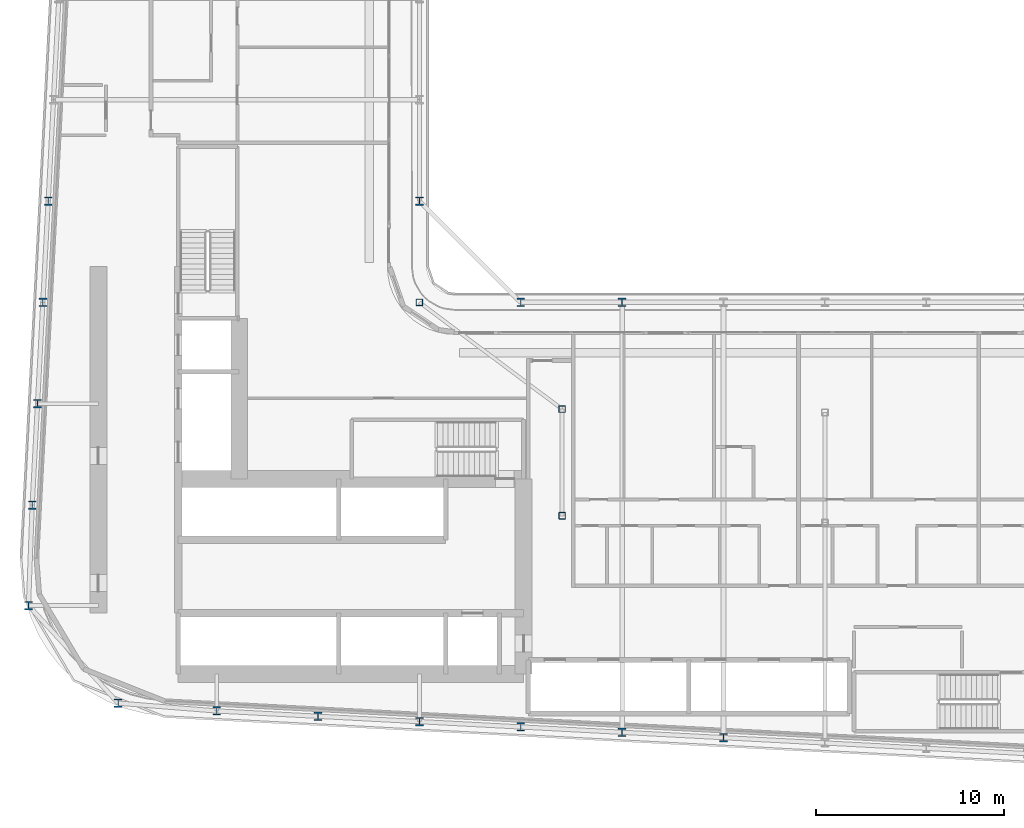
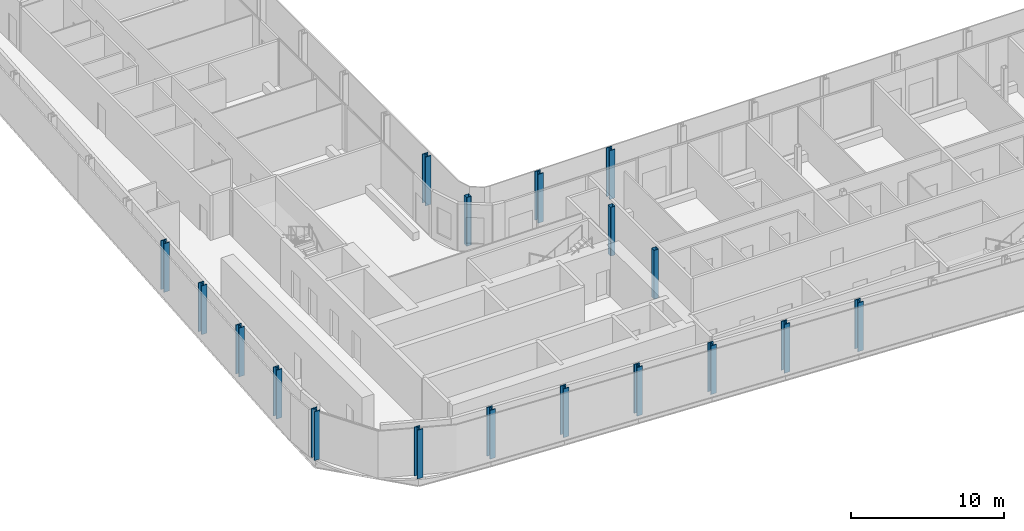
# One storey, part 1 of 26: 18 columns.
"""IFC4 building model written with IfcOpenShell, lengths in metres."""

import ifcopenshell
import ifcopenshell.guid

model = None  # the IFC model being written
_history = None  # IfcOwnerHistory: only IFC2X3 demands one
_inside = {}  # id of a spatial element -> (the spatial element, [elements in it])
_under = {}  # id of a project, library or spatial element -> (it, [spatial elements below it])
_declared = {}  # id of a project -> (the project, [libraries it declares])
_typed = {}  # id of a type object -> (the type object, [elements of that type])
_made_of = {}  # id of a material, layer set ... -> (it, [elements and type objects made of it])


def new_model(schema):
    """Start an empty IFC model of exactly this schema.

    Asked for "IFC4X3", IfcOpenShell would pick the latest addendum, in which some entities
    have other attributes; the version numbers below select the first issue.
    IFC2X3 requires an IfcOwnerHistory on every rooted entity: one is made here for all.
    """
    global model, _history
    if schema == "IFC4X3":
        model = ifcopenshell.file(schema_version=(4, 3, 0, 0))
    else:
        model = ifcopenshell.file(schema=schema)
    _inside.clear()
    _under.clear()
    _declared.clear()
    _typed.clear()
    _made_of.clear()
    _history = None
    if model.schema == "IFC2X3":
        org = make("IfcOrganization", Name="unknown")
        user = make(
            "IfcPersonAndOrganization",
            ThePerson=make("IfcPerson", FamilyName="unknown"),
            TheOrganization=org,
        )
        app = make(
            "IfcApplication",
            ApplicationDeveloper=org,
            Version="unknown",
            ApplicationFullName="unknown",
            ApplicationIdentifier="unknown",
        )
        _history = make(
            "IfcOwnerHistory",
            OwningUser=user,
            OwningApplication=app,
            ChangeAction="ADDED",
            CreationDate=0,
        )
    return model


def make(cls, **values):
    """One entity of the class cls with the attributes given. An attribute that is None is left unset."""
    return model.create_entity(
        cls, **{name: value for name, value in values.items() if value is not None}
    )


def rooted(cls, **values):
    """An entity with a GlobalId (a new one), such as an element, a storey or a relation."""
    return make(cls, GlobalId=ifcopenshell.guid.new(), OwnerHistory=_history, **values)


def si_unit(unit_type, name, prefix=None):
    """IfcSIUnit, for example si_unit("LENGTHUNIT", "METRE", prefix="MILLI")."""
    return make("IfcSIUnit", UnitType=unit_type, Prefix=prefix, Name=name)


def assignment(units):
    """IfcUnitAssignment: the units of a project."""
    return None if units is None else make("IfcUnitAssignment", Units=units)


def point(xyz):
    """IfcCartesianPoint."""
    return None if xyz is None else make("IfcCartesianPoint", Coordinates=xyz)


def direction(xyz):
    """IfcDirection."""
    return None if xyz is None else make("IfcDirection", DirectionRatios=xyz)


def frame(location, z_axis=None, x_axis=None):
    """IfcAxis2Placement3D, a coordinate frame: its origin and axes. An axis left out is left unset."""
    return make(
        "IfcAxis2Placement3D",
        Location=point(location),
        Axis=direction(z_axis),
        RefDirection=direction(x_axis),
    )


def frame_2d(location, x_axis=None):
    """IfcAxis2Placement2D, a coordinate frame in the plane: its origin and x axis."""
    return make(
        "IfcAxis2Placement2D", Location=point(location), RefDirection=direction(x_axis)
    )


def origin():
    """The frame at (0, 0, 0) with its axes left unset."""
    return frame((0.0, 0.0, 0.0))


def origin_2d():
    """The frame at (0, 0) in the plane with its x axis left unset."""
    return frame_2d((0.0, 0.0))


def place(relative_to, where):
    """IfcLocalPlacement: puts the frame where relative to a parent placement (None: the world)."""
    return make(
        "IfcLocalPlacement", PlacementRelTo=relative_to, RelativePlacement=where
    )


def context(
    kind, dimensions, precision=None, world=None, true_north=None, identifier=None
):
    """IfcGeometricRepresentationContext, for example the 3D "Model" context."""
    return make(
        "IfcGeometricRepresentationContext",
        ContextIdentifier=identifier,
        ContextType=kind,
        CoordinateSpaceDimension=dimensions,
        Precision=precision,
        WorldCoordinateSystem=world,
        TrueNorth=true_north,
    )


def subcontext(parent, identifier, kind, view, scale=None):
    """IfcGeometricRepresentationSubContext, for example "Body" below "Model"."""
    return make(
        "IfcGeometricRepresentationSubContext",
        ContextIdentifier=identifier,
        ContextType=kind,
        ParentContext=parent,
        TargetScale=scale,
        TargetView=view,
    )


def project(units=None, contexts=None):
    """IfcProject with its units and contexts."""
    return rooted(
        "IfcProject",
        Name="project",
        RepresentationContexts=contexts,
        UnitsInContext=assignment(units),
    )


def spatial(cls, under=None, at=None, **own):
    """A site, building, storey or space (cls), placed at a placement, below another one or the project."""
    s = rooted(cls, ObjectPlacement=at, **own)
    if under is not None:
        _under.setdefault(under.id(), (under, []))[1].append(s)
    return s


def profile(cls, at=None, kind="AREA", **sizes):
    """A parametric profile (cls). Its sizes go by their IFC names, for example OverallWidth=200.0."""
    return make(cls, ProfileType=kind, Position=at, **sizes)


def hollow_rectangle(**sizes):
    """IfcRectangleHollowProfileDef."""
    return profile("IfcRectangleHollowProfileDef", **sizes)


def i_section(**sizes):
    """IfcIShapeProfileDef."""
    return profile("IfcIShapeProfileDef", **sizes)


def extrude(swept, where, along, depth):
    """IfcExtrudedAreaSolid: the profile swept, set in the frame where, extruded along a direction by depth."""
    return make(
        "IfcExtrudedAreaSolid",
        SweptArea=swept,
        Position=where,
        ExtrudedDirection=direction(along),
        Depth=depth,
    )


def shape(context_of_items, identifier, shape_type, items):
    """IfcShapeRepresentation: the items that make up one representation, for example the "Body"."""
    return make(
        "IfcShapeRepresentation",
        ContextOfItems=context_of_items,
        RepresentationIdentifier=identifier,
        RepresentationType=shape_type,
        Items=items,
    )


def material(Name=None, Category=None):
    """IfcMaterial."""
    return make("IfcMaterial", Name=Name, Category=Category)


def material_profile(
    of_material, cross_section, Name=None, Category=None, Priority=None
):
    """IfcMaterialProfile: a cross section and its material."""
    return make(
        "IfcMaterialProfile",
        Name=Name,
        Material=of_material,
        Profile=cross_section,
        Priority=Priority,
        Category=Category,
    )


def profile_set(profiles, Name=None, composite=None):
    """IfcMaterialProfileSet."""
    return make(
        "IfcMaterialProfileSet",
        Name=Name,
        MaterialProfiles=profiles,
        CompositeProfile=composite,
    )


def made_of(thing, what):
    """Note that an element or type object is made of a material, layer set ...; save() writes the relation."""
    if what is not None:
        _made_of.setdefault(what.id(), (what, []))[1].append(thing)
    return thing


def type_object(cls, material=None, **own):
    """A type object (cls), such as IfcWallType, which elements share."""
    return made_of(rooted(cls, **own), material)


def element(
    cls,
    number,
    at=None,
    inside=None,
    cuts=None,
    type_object=None,
    material=None,
    context=None,
    identifier="Body",
    shape_type=None,
    held_by="IfcProductDefinitionShape",
    body=None,
    shapes=None,
    **own,
):
    """One element of the class cls, such as IfcWall. Its Tag is "e" and its number.

    at: its placement. inside: the storey or other place that contains it. cuts: it is an
    opening in that element (IfcRelVoidsElement). A single representation is given by context,
    identifier, shape_type and body (its items); several are given by shapes. held_by: the class
    of the entity that holds the representations. save() writes the other relations.
    """
    e = rooted(cls, Tag="e%d" % number, ObjectPlacement=at, **own)
    if body is not None:
        shapes = [shape(context, identifier, shape_type, body)]
    if shapes is not None:
        e.Representation = make(held_by, Representations=shapes)
    if inside is not None:
        _inside.setdefault(inside.id(), (inside, []))[1].append(e)
    if cuts is not None:
        rooted(
            "IfcRelVoidsElement", RelatingBuildingElement=cuts, RelatedOpeningElement=e
        )
    if type_object is not None:
        _typed.setdefault(type_object.id(), (type_object, []))[1].append(e)
    return made_of(e, material)


def aggregate(whole, parts):
    """IfcRelAggregates: a whole, such as a stair, and the parts it consists of."""
    return rooted("IfcRelAggregates", RelatingObject=whole, RelatedObjects=parts)


def save(model, path):
    """Write the relations noted so far, then the file.

    IfcRelAggregates (storeys below a building ...), IfcRelContainedInSpatialStructure (elements
    in a storey), IfcRelDefinesByType, IfcRelAssociatesMaterial and IfcRelDeclares: one each for
    every whole, place, type object, material and project.
    """
    for whole, parts in _under.values():
        aggregate(whole, parts)
    for where, things in _inside.values():
        rooted(
            "IfcRelContainedInSpatialStructure",
            RelatedElements=things,
            RelatingStructure=where,
        )
    for kind, things in _typed.values():
        rooted("IfcRelDefinesByType", RelatedObjects=things, RelatingType=kind)
    for what, things in _made_of.values():
        rooted("IfcRelAssociatesMaterial", RelatedObjects=things, RelatingMaterial=what)
    for by, libraries in _declared.values():
        rooted("IfcRelDeclares", RelatingContext=by, RelatedDefinitions=libraries)
    model.write(path)


model = new_model("IFC4")

# Units and contexts
model_context = context("Model", 3, precision=1e-05, world=origin(), true_north=direction((0.0, 1.0)))
body_context = subcontext(model_context, "Body", "Model", "MODEL_VIEW")
ifc_project = project(units=[si_unit("LENGTHUNIT", "METRE"), si_unit("AREAUNIT", "SQUARE_METRE"), si_unit("VOLUMEUNIT", "CUBIC_METRE"), si_unit("PLANEANGLEUNIT", "RADIAN"), si_unit("MASSUNIT", "GRAM", prefix="KILO")], contexts=[model_context])

# Site, building, storey
site_placement = place(None, origin())
site = spatial("IfcSite", under=ifc_project, at=site_placement, CompositionType="ELEMENT")
building_placement = place(site_placement, origin())
building = spatial("IfcBuilding", under=site, at=building_placement, Name="Kheshtan School and Residences Tower", CompositionType="ELEMENT")
storey_placement = place(building_placement, frame((0.0, 0.0, 105.800048828125)))
storey = spatial("IfcBuildingStorey", under=building, at=storey_placement, Name="L24", CompositionType="ELEMENT", Elevation=105.800048828125)

# Columns
ifc_material_1 = material(Name="Steel ASTM A992 Grade 50", Category="steel")
ifc_material_profile_1 = material_profile(ifc_material_1, i_section(OverallWidth=0.41796875, OverallDepth=0.455078125, WebThickness=0.042236328125, FlangeThickness=0.067626953125, FilletRadius=0.013671875, at=origin_2d()), Name="W360x551")
ifc_profile_set_1 = profile_set([ifc_material_profile_1], Name="Steel ASTM A992 Grade 50")
column_type_1 = type_object("IfcColumnType", Name="Column C2 W360x551 ASTM A992 Grade 50", PredefinedType="COLUMN", material=ifc_profile_set_1)
for number, where, z_axis, x_axis, name in (
    (1, (63.800048828125, 22.410888671875, 0.0), (0.0, 0.0, 1.0), (1.0, 0.0, 0.0), "Column C016"),
    (2, (58.39990234375, 22.695068359375, 0.0), (0.0, 0.0, 1.0), (1.0, 0.0, 0.0), "Column C018"),
    (3, (53.0, 22.97998046875, 0.0), (0.0, 0.0, 1.0), (1.0, 0.0, 0.0), "Column C019"),
    (4, (47.60009765625, 23.263916015625, 0.0), (0.0, 0.0, 1.0), (1.0, 0.0, 0.0), "Column C020"),
    (5, (42.199951171875, 23.548095703125, 0.0), (0.0, 0.0, 1.0), (1.0, 0.0, 0.0), "Column C021"),
    (6, (36.800048828125, 23.83203125, 0.0), (0.0, 0.0, 1.0), (1.0, 0.0, 0.0), "Column C022"),
    (7, (31.549072265625, 24.25, 0.0), (0.0, 0.0, 1.0), (1.0, 0.0, 0.0), "Column C024"),
    (8, (26.77197265625, 29.449951171875, 0.0), (0.0, 0.0, 1.0), (1.0, 0.0, 0.0), "Column C037"),
    (9, (26.968994140625, 34.800048828125, 0.0), (0.0, 0.0, 1.0), (1.0, 0.0, 0.0), "Column C052"),
    (10, (27.2529296875, 40.199951171875, 0.0), (0.0, 0.0, 1.0), (1.0, 0.0, 0.0), "Column C056"),
    (11, (27.537109375, 45.60009765625, 0.0), (0.0, 0.0, 1.0), (1.0, 0.0, 0.0), "Column C059"),
    (12, (53.0, 45.60009765625, 0.0), (0.0, 0.0, 1.0), (1.0, 0.0, 0.0), "Column C061"),
    (13, (58.39990234375, 45.60009765625, 0.0), (0.0, 0.0, 1.0), (1.0, 0.0, 0.0), "Column C062"),
    (14, (27.822021484375, 51.0, 0.0), (0.0, 0.0, 1.0), (1.0, 0.0, 0.0), "Column C078"),
    (15, (47.60009765625, 51.0, 0.0), (0.0, 0.0, 1.0), (1.0, 0.0, 0.0), "Column C079"),
):
    element("IfcColumn", number, at=place(storey_placement, frame(where, z_axis=z_axis, x_axis=x_axis)), inside=storey, type_object=column_type_1, Name=name, PredefinedType="COLUMN", context=body_context, shape_type="SweptSolid", body=[
        extrude(i_section(OverallWidth=0.41796875, OverallDepth=0.455078125, WebThickness=0.042236328125, FlangeThickness=0.067626953125, FilletRadius=0.013671875, at=origin_2d()), origin(), (0.0, 0.0, 1.0), 3.89990234375),
    ])
ifc_material_2 = material(Name="Steel ASTM A500 Grade C", Category="steel")
ifc_material_profile_2 = material_profile(ifc_material_2, hollow_rectangle(XDim=0.35595703125, YDim=0.35595703125, WallThickness=0.015869140625, InnerFilletRadius=0.015869140625, OuterFilletRadius=0.03173828125, at=origin_2d()), Name="HSS 356x356x15.9")
ifc_profile_set_2 = profile_set([ifc_material_profile_2], Name="Steel ASTM A500 Grade C")
column_type_2 = type_object("IfcColumnType", Name="Column IC1 HSS 356x356x15.9 ASTM A500 Grade C", PredefinedType="COLUMN", material=ifc_profile_set_2)
for number, where, z_axis, x_axis, name in (
    (16, (55.199951171875, 34.23193359375, 0.0), (0.0, 0.0, 1.0), (1.0, 0.0, 0.0), "Column C051"),
    (17, (55.199951171875, 39.916015625, 0.0), (0.0, 0.0, 1.0), (1.0, 0.0, 0.0), "Column C055"),
    (18, (47.60009765625, 45.60009765625, 0.0), (0.0, 0.0, 1.0), (1.0, 0.0, 0.0), "Column C060"),
):
    element("IfcColumn", number, at=place(storey_placement, frame(where, z_axis=z_axis, x_axis=x_axis)), inside=storey, type_object=column_type_2, Name=name, PredefinedType="COLUMN", context=body_context, shape_type="SweptSolid", body=[
        extrude(hollow_rectangle(XDim=0.35595703125, YDim=0.35595703125, WallThickness=0.015869140625, InnerFilletRadius=0.015869140625, OuterFilletRadius=0.03173828125, at=origin_2d()), origin(), (0.0, 0.0, 1.0), 3.89990234375),
    ])

save(model, "model.ifc")
